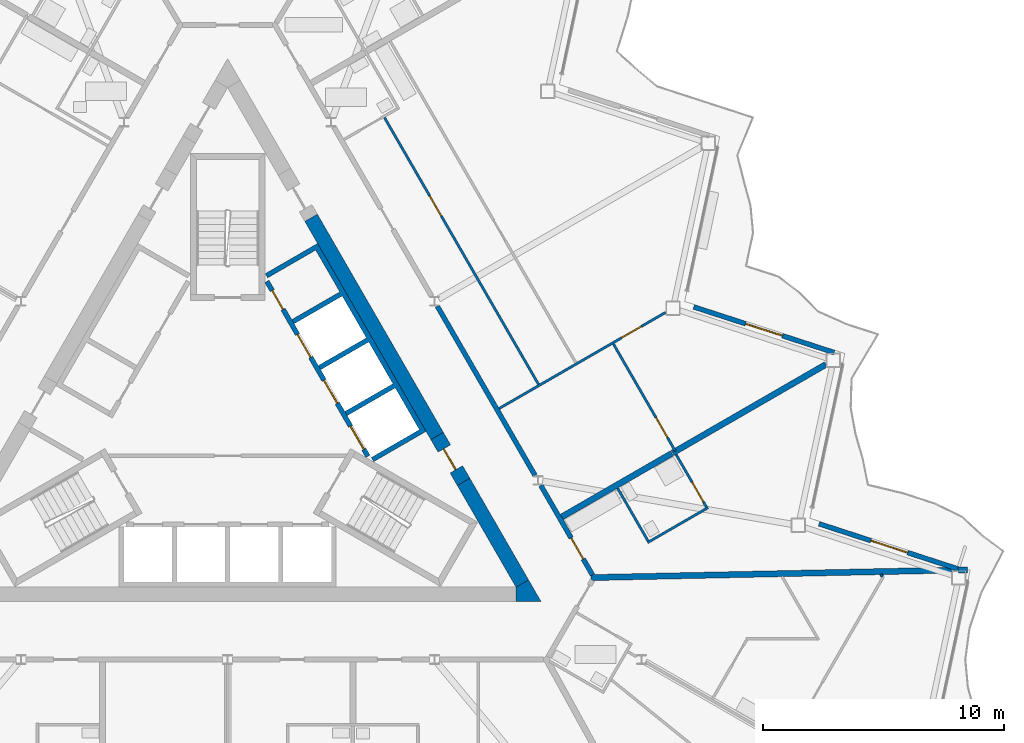
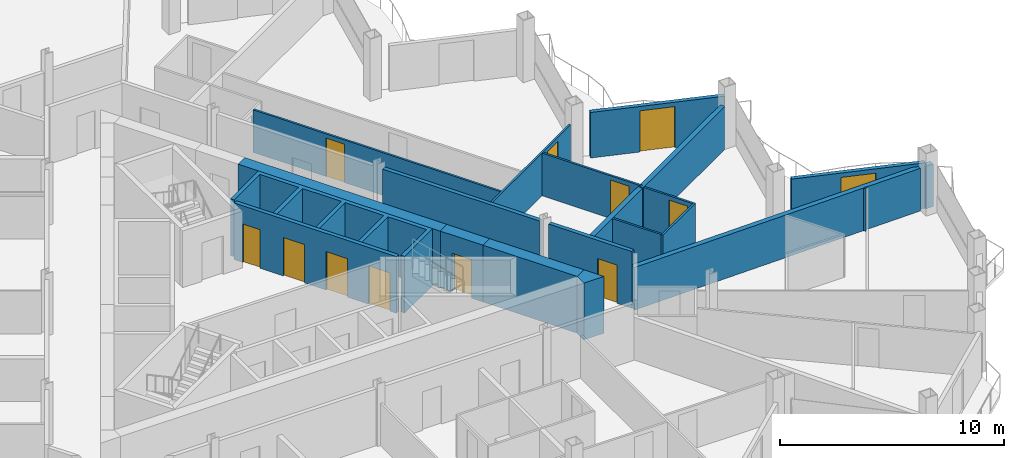
# One storey, part 17 of 27: 21 walls, 12 doors, 12 openings.
"""IFC4 building model written with IfcOpenShell, lengths in metres."""

from ifc_helpers import new_model, si_unit, direction, frame, frame_2d, origin, place, context, subcontext, project, spatial, polyline, rectangle, outline, extrude, material, layer, layer_set, type_object, element, fill, save


model = new_model("IFC4")

# Units and contexts
model_context = context("Model", 3, precision=1e-05, world=origin(), true_north=direction((0.0, 1.0)))
body_context = subcontext(model_context, "Body", "Model", "MODEL_VIEW")
ifc_project = project(units=[si_unit("LENGTHUNIT", "METRE"), si_unit("AREAUNIT", "SQUARE_METRE"), si_unit("VOLUMEUNIT", "CUBIC_METRE"), si_unit("PLANEANGLEUNIT", "RADIAN"), si_unit("MASSUNIT", "GRAM", prefix="KILO")], contexts=[model_context])

# Site, building, storey
site_placement = place(None, origin())
site = spatial("IfcSite", under=ifc_project, at=site_placement, CompositionType="ELEMENT")
building_placement = place(site_placement, origin())
building = spatial("IfcBuilding", under=site, at=building_placement, Name="Cormorant Prow Tower", CompositionType="ELEMENT")
storey_placement = place(building_placement, frame((0.0, 0.0, 315.39990234375)))
storey = spatial("IfcBuildingStorey", under=building, at=storey_placement, Name="L69", CompositionType="ELEMENT", Elevation=315.39990234375)

# Walls
ifc_material_1 = material(Name="Concrete 8000 psi", Category="concrete")
ifc_layer_1 = layer(ifc_material_1, 0.60009765625)
ifc_layer_set_1 = layer_set([ifc_layer_1], Name="Concrete 8000 psi")
wall_type_1 = type_object("IfcWallType", Name="Core shear wall 600", PredefinedType="SHEAR", material=ifc_layer_set_1)
wall_1_placement = place(storey_placement, frame((8.686279296875, -0.6337890625, 0.0), z_axis=(0.0, 0.0, 1.0), x_axis=(-0.50001836461, 0.866014800712, 0.0)))
element("IfcWall", 1, at=wall_1_placement, inside=storey, type_object=wall_type_1, Name="Core wall", PredefinedType="SHEAR", context=body_context, shape_type="SweptSolid", body=[
    extrude(rectangle(XDim=10.45068359375, YDim=0.60009765625, at=frame_2d((5.225341796875, 0.0))), origin(), (0.0, 0.0, 1.0), 3.10009765625),
])
wall_2_placement = place(storey_placement, frame((12.220703125, -6.755615234375, 0.0), z_axis=(0.0, 0.0, 1.0), x_axis=(-0.50000604952, 0.866021911064, 0.0)))
element("IfcWall", 2, at=wall_2_placement, inside=storey, type_object=wall_type_1, Name="Core wall", PredefinedType="SHEAR", context=body_context, shape_type="SweptSolid", body=[
    extrude(rectangle(XDim=4.86865234375, YDim=0.60009765625, at=frame_2d((2.434326171875, 0.0))), origin(), (0.0, 0.0, 1.0), 3.10009765625),
])
wall_3_placement = place(storey_placement, origin())
element("IfcWall", 3, at=wall_3_placement, inside=storey, type_object=wall_type_1, Name="Core wall corner", PredefinedType="SHEAR", context=body_context, shape_type="SweptSolid", body=[
    extrude(outline(polyline([(11.960693359375, -7.505615234375), (11.960693359375, -6.905517578125), (12.48046875, -6.605712890625), (13.0, -7.505615234375), (11.960693359375, -7.505615234375)])), origin(), (0.0, 0.0, 1.0), 3.10009765625),
])

# Wall, opening, door
wall_4_placement = place(storey_placement, frame((9.786376953125, -2.539306640625, 0.0), z_axis=(0.0, 0.0, 1.0), x_axis=(-0.499981787252, 0.866035918664, 0.0)))
wall_4 = element("IfcWall", 4, at=wall_4_placement, inside=storey, type_object=wall_type_1, Name="Core wall door panel", PredefinedType="SHEAR", context=body_context, shape_type="SweptSolid", body=[
    extrude(rectangle(XDim=2.2001953125, YDim=0.60009765625, at=frame_2d((1.10009765625, 0.0))), origin(), (0.0, 0.0, 1.0), 3.10009765625),
])
opening_1_placement = place(wall_4_placement, frame((0.60009765625, 0.0, 0.0)))
opening_1 = element("IfcOpeningElement", 5, at=opening_1_placement, cuts=wall_4, Name="Opening L69-C16", PredefinedType="OPENING", context=body_context, shape_type="SweptSolid", body=[
    extrude(rectangle(XDim=1.0, YDim=2.10009765625, at=frame_2d((0.5, 1.050048828125))), frame((0.0, 0.31005859375, 0.0), z_axis=(0.0, -1.0, 0.0), x_axis=(1.0, 0.0, 0.0)), (0.0, 0.0, 1.0), 0.6201171875),
])
ifc_material_2 = material(Name="Painted steel", Category="steel")
door_type_1 = type_object("IfcDoorType", Name="Service door 1000x2100", OperationType="NOTDEFINED", PredefinedType="DOOR", material=ifc_material_2)
door_1_placement = place(opening_1_placement, origin())
door_1 = element("IfcDoor", 6, at=door_1_placement, inside=storey, type_object=door_type_1, Name="Core door, Telecom room", OperationType="SINGLE_SWING_LEFT", OverallHeight=2.10009765625, OverallWidth=1.0, PredefinedType="DOOR", context=body_context, shape_type="SweptSolid", body=[
    extrude(rectangle(XDim=1.0, YDim=2.10009765625, at=frame_2d((0.5, 1.050048828125))), frame((0.0, 0.05517578125, 0.0), z_axis=(0.0, -1.0, 0.0), x_axis=(1.0, 0.0, 0.0)), (0.0, 0.0, 1.0), 0.050048828125),
])
fill(opening_1, door_1)

# Wall
ifc_material_3 = material(Name="Gypsum board corridor wall")
ifc_layer_2 = layer(ifc_material_3, 0.199951171875)
ifc_layer_set_2 = layer_set([ifc_layer_2], Name="Gypsum board corridor wall")
wall_type_2 = type_object("IfcWallType", Name="Corridor wall 200", PredefinedType="PARTITIONING", material=ifc_layer_set_2)
wall_5_placement = place(storey_placement, frame((8.698486328125, 4.7451171875, 0.0), z_axis=(0.0, 0.0, 1.0), x_axis=(0.499984266882, -0.866034487114, 0.0)))
element("IfcWall", 7, at=wall_5_placement, inside=storey, type_object=wall_type_2, Name="Corridor wall", PredefinedType="PARTITIONING", context=body_context, shape_type="SweptSolid", body=[
    extrude(rectangle(XDim=8.098876953125, YDim=0.199951171875, at=frame_2d((4.04931640625, 0.0))), origin(), (0.0, 0.0, 1.0), 3.10009765625),
])

# Wall, opening, door
wall_6_placement = place(storey_placement, frame((12.987548828125, -2.68408203125, 0.0), z_axis=(0.0, 0.0, 1.0), x_axis=(0.500003406062, -0.866023437285, 0.0)))
wall_6 = element("IfcWall", 8, at=wall_6_placement, inside=storey, type_object=wall_type_2, Name="Corridor wall", PredefinedType="PARTITIONING", context=body_context, shape_type="SweptSolid", body=[
    extrude(rectangle(XDim=4.28759765625, YDim=0.199951171875, at=frame_2d((2.143798828125, 0.0))), origin(), (0.0, 0.0, 1.0), 3.10009765625),
])
opening_2_placement = place(wall_6_placement, frame((2.521484375, 0.0, 0.0)))
opening_2 = element("IfcOpeningElement", 9, at=opening_2_placement, cuts=wall_6, Name="Opening L69-F23", PredefinedType="OPENING", context=body_context, shape_type="SweptSolid", body=[
    extrude(rectangle(XDim=1.0, YDim=2.10009765625, at=frame_2d((0.5, 1.050048828125))), frame((0.0, 0.10986328125, 0.0), z_axis=(0.0, -1.0, 0.0), x_axis=(1.0, 0.0, 0.0)), (0.0, 0.0, 1.0), 0.219970703125),
])
ifc_material_4 = material(Name="Timber door leaf", Category="wood")
door_type_2 = type_object("IfcDoorType", Name="Flat or room entrance door 1000x2100", OperationType="NOTDEFINED", PredefinedType="DOOR", material=ifc_material_4)
door_2_placement = place(opening_2_placement, origin())
door_2 = element("IfcDoor", 10, at=door_2_placement, inside=storey, type_object=door_type_2, Name="Studio living, kitchen and sleeping room door", OperationType="SINGLE_SWING_LEFT", OverallHeight=2.10009765625, OverallWidth=1.0, PredefinedType="DOOR", context=body_context, shape_type="SweptSolid", body=[
    extrude(rectangle(XDim=1.0, YDim=2.10009765625, at=frame_2d((0.5, 1.050048828125))), frame((0.0, 0.02490234375, 0.0), z_axis=(0.0, -1.0, 0.0), x_axis=(1.0, 0.0, 0.0)), (0.0, 0.0, 1.0), 0.050048828125),
])
fill(opening_2, door_2)

ifc_material_5 = material(Name="Gypsum board partition")
ifc_layer_3 = layer(ifc_material_5, 0.10009765625)
ifc_layer_set_3 = layer_set([ifc_layer_3], Name="Gypsum board partition")
wall_type_3 = type_object("IfcWallType", Name="Internal partition 100", PredefinedType="PARTITIONING", material=ifc_layer_set_3)
wall_7_placement = place(storey_placement, frame((6.50390625, 12.57177734375, 0.0), z_axis=(0.0, 0.0, 1.0), x_axis=(0.499998094172, -0.866026504112, 0.0)))
wall_7 = element("IfcWall", 11, at=wall_7_placement, inside=storey, type_object=wall_type_3, Name="Internal partition", PredefinedType="PARTITIONING", context=body_context, shape_type="SweptSolid", body=[
    extrude(rectangle(XDim=12.7783203125, YDim=0.10009765625, at=frame_2d((6.38916015625, 0.0))), origin(), (0.0, 0.0, 1.0), 2.330078125),
])
opening_3_placement = place(wall_7_placement, frame((3.7587890625, 0.0, 0.0)))
opening_3 = element("IfcOpeningElement", 12, at=opening_3_placement, cuts=wall_7, Name="Opening L69-F27", PredefinedType="OPENING", context=body_context, shape_type="SweptSolid", body=[
    extrude(rectangle(XDim=0.949951171875, YDim=2.10009765625, at=frame_2d((0.47509765625, 1.050048828125))), frame((0.0, 0.06005859375, 0.0), z_axis=(0.0, -1.0, 0.0), x_axis=(1.0, 0.0, 0.0)), (0.0, 0.0, 1.0), 0.1201171875),
])
ifc_material_6 = material(Name="Timber door leaf", Category="wood")
door_type_3 = type_object("IfcDoorType", Name="Bathroom door 950x2100", OperationType="NOTDEFINED", PredefinedType="DOOR", material=ifc_material_6)
door_3_placement = place(opening_3_placement, origin())
door_3 = element("IfcDoor", 13, at=door_3_placement, inside=storey, type_object=door_type_3, Name="Living room door", OperationType="SINGLE_SWING_RIGHT", OverallHeight=2.10009765625, OverallWidth=0.949951171875, PredefinedType="DOOR", context=body_context, shape_type="SweptSolid", body=[
    extrude(rectangle(XDim=0.949951171875, YDim=2.10009765625, at=frame_2d((0.47509765625, 1.050048828125))), frame((0.0, 0.02490234375, 0.0), z_axis=(0.0, -1.0, 0.0), x_axis=(1.0, 0.0, 0.0)), (0.0, 0.0, 1.0), 0.050048828125),
])
fill(opening_3, door_3)

wall_8_placement = place(storey_placement, frame((11.261474609375, 0.505615234375, 0.0), z_axis=(0.0, 0.0, 1.0), x_axis=(0.866024323732, 0.500001870701, 0.0)))
wall_8 = element("IfcWall", 14, at=wall_8_placement, inside=storey, type_object=wall_type_3, Name="Internal partition", PredefinedType="PARTITIONING", context=body_context, shape_type="SweptSolid", body=[
    extrude(rectangle(XDim=7.966796875, YDim=0.10009765625, at=frame_2d((3.9833984375, 0.0))), origin(), (0.0, 0.0, 1.0), 2.330078125),
])
opening_4_placement = place(wall_8_placement, frame((5.864501953125, 0.0, 0.0)))
opening_4 = element("IfcOpeningElement", 15, at=opening_4_placement, cuts=wall_8, Name="Opening L69-F29", PredefinedType="OPENING", context=body_context, shape_type="SweptSolid", body=[
    extrude(rectangle(XDim=0.949951171875, YDim=2.10009765625, at=frame_2d((0.47509765625, 1.050048828125))), frame((0.0, 0.06005859375, 0.0), z_axis=(0.0, -1.0, 0.0), x_axis=(1.0, 0.0, 0.0)), (0.0, 0.0, 1.0), 0.1201171875),
])
door_4_placement = place(opening_4_placement, origin())
door_4 = element("IfcDoor", 16, at=door_4_placement, inside=storey, type_object=door_type_3, Name="Dining room door", OperationType="SINGLE_SWING_LEFT", OverallHeight=2.10009765625, OverallWidth=0.949951171875, PredefinedType="DOOR", context=body_context, shape_type="SweptSolid", body=[
    extrude(rectangle(XDim=0.949951171875, YDim=2.10009765625, at=frame_2d((0.47509765625, 1.050048828125))), frame((0.0, 0.02490234375, 0.0), z_axis=(0.0, -1.0, 0.0), x_axis=(1.0, 0.0, 0.0)), (0.0, 0.0, 1.0), 0.050048828125),
])
fill(opening_4, door_4)

wall_9_placement = place(storey_placement, frame((15.9990234375, 3.18310546875, 0.0), z_axis=(0.0, 0.0, 1.0), x_axis=(0.500014207086, -0.866017201164, 0.0)))
wall_9 = element("IfcWall", 17, at=wall_9_placement, inside=storey, type_object=wall_type_3, Name="Internal partition", PredefinedType="PARTITIONING", context=body_context, shape_type="SweptSolid", body=[
    extrude(rectangle(XDim=5.142822265625, YDim=0.10009765625, at=frame_2d((2.5712890625, 0.0))), origin(), (0.0, 0.0, 1.0), 2.330078125),
])
opening_5_placement = place(wall_9_placement, frame((3.532470703125, 0.0, 0.0)))
opening_5 = element("IfcOpeningElement", 18, at=opening_5_placement, cuts=wall_9, Name="Opening L69-F30", PredefinedType="OPENING", context=body_context, shape_type="SweptSolid", body=[
    extrude(rectangle(XDim=0.949951171875, YDim=2.10009765625, at=frame_2d((0.47509765625, 1.050048828125))), frame((0.0, 0.06005859375, 0.0), z_axis=(0.0, -1.0, 0.0), x_axis=(1.0, 0.0, 0.0)), (0.0, 0.0, 1.0), 0.1201171875),
])
door_5_placement = place(opening_5_placement, origin())
door_5 = element("IfcDoor", 19, at=door_5_placement, inside=storey, type_object=door_type_3, Name="Bedroom door", OperationType="SINGLE_SWING_RIGHT", OverallHeight=2.10009765625, OverallWidth=0.949951171875, PredefinedType="DOOR", context=body_context, shape_type="SweptSolid", body=[
    extrude(rectangle(XDim=0.949951171875, YDim=2.10009765625, at=frame_2d((0.47509765625, 1.050048828125))), frame((0.0, 0.02490234375, 0.0), z_axis=(0.0, -1.0, 0.0), x_axis=(1.0, 0.0, 0.0)), (0.0, 0.0, 1.0), 0.050048828125),
])
fill(opening_5, door_5)

# Walls
wall_10_placement = place(storey_placement, frame((17.416259765625, -5.0546875, 0.0), z_axis=(0.0, 0.0, 1.0), x_axis=(0.866032775405, 0.499987231761, 0.0)))
element("IfcWall", 20, at=wall_10_placement, inside=storey, type_object=wall_type_3, Name="Internal partition", PredefinedType="PARTITIONING", context=body_context, shape_type="SweptSolid", body=[
    extrude(rectangle(XDim=2.89990234375, YDim=0.10009765625, at=frame_2d((1.449951171875, 0.0))), origin(), (0.0, 0.0, 1.0), 2.330078125),
])
wall_11_placement = place(storey_placement, frame((16.172119140625, -2.7998046875, 0.0), z_axis=(0.0, 0.0, 1.0), x_axis=(0.50001820224, -0.866014894461, 0.0)))
element("IfcWall", 21, at=wall_11_placement, inside=storey, type_object=wall_type_3, Name="Internal partition", PredefinedType="PARTITIONING", context=body_context, shape_type="SweptSolid", body=[
    extrude(rectangle(XDim=2.52490234375, YDim=0.10009765625, at=frame_2d((1.262451171875, 0.0))), origin(), (0.0, 0.0, 1.0), 2.330078125),
])

# Wall, opening, door
wall_12_placement = place(storey_placement, frame((18.596923828125, -1.399658203125, 0.0), z_axis=(0.0, 0.0, 1.0), x_axis=(0.499976333282, -0.866039067339, 0.0)))
wall_12 = element("IfcWall", 22, at=wall_12_placement, inside=storey, type_object=wall_type_3, Name="Internal partition", PredefinedType="PARTITIONING", context=body_context, shape_type="SweptSolid", body=[
    extrude(rectangle(XDim=2.52490234375, YDim=0.10009765625, at=frame_2d((1.262451171875, 0.0))), origin(), (0.0, 0.0, 1.0), 2.330078125),
])
opening_6_placement = place(wall_12_placement, frame((1.324951171875, 0.0, 0.0)))
opening_6 = element("IfcOpeningElement", 23, at=opening_6_placement, cuts=wall_12, Name="Opening L69-F24", PredefinedType="OPENING", context=body_context, shape_type="SweptSolid", body=[
    extrude(rectangle(XDim=0.949951171875, YDim=2.10009765625, at=frame_2d((0.47509765625, 1.050048828125))), frame((0.0, 0.06005859375, 0.0), z_axis=(0.0, -1.0, 0.0), x_axis=(1.0, 0.0, 0.0)), (0.0, 0.0, 1.0), 0.1201171875),
])
door_6_placement = place(opening_6_placement, origin())
door_6 = element("IfcDoor", 24, at=door_6_placement, inside=storey, type_object=door_type_3, Name="Studio living, kitchen and sleeping room door", OperationType="SINGLE_SWING_RIGHT", OverallHeight=2.10009765625, OverallWidth=0.949951171875, PredefinedType="DOOR", context=body_context, shape_type="SweptSolid", body=[
    extrude(rectangle(XDim=0.949951171875, YDim=2.10009765625, at=frame_2d((0.47509765625, 1.050048828125))), frame((0.0, 0.02490234375, 0.0), z_axis=(0.0, -1.0, 0.0), x_axis=(1.0, 0.0, 0.0)), (0.0, 0.0, 1.0), 0.050048828125),
])
fill(opening_6, door_6)

# Wall
wall_13_placement = place(storey_placement, frame((27.095703125, -6.369140625, 0.0), z_axis=(0.0, 0.0, 1.0), x_axis=(0.500768285049, -0.865581379588, 0.0)))
element("IfcWall", 25, at=wall_13_placement, inside=storey, type_object=wall_type_3, Name="Internal partition", PredefinedType="PARTITIONING", context=body_context, shape_type="SweptSolid", body=[
    extrude(rectangle(XDim=0.107666015625, YDim=0.10009765625, at=frame_2d((0.0537109375, 0.0))), origin(), (0.0, 0.0, 1.0), 2.330078125),
])

# Wall, openings, doors
ifc_material_7 = material(Name="Concrete 5000 psi", Category="concrete")
ifc_layer_4 = layer(ifc_material_7, 0.199951171875)
ifc_layer_set_4 = layer_set([ifc_layer_4], Name="Concrete 5000 psi")
wall_type_4 = type_object("IfcWallType", Name="Lift lobby wall 200", PredefinedType="SOLIDWALL", material=ifc_layer_set_4)
wall_14_placement = place(storey_placement, frame((5.817138671875, -1.4755859375, 0.0), z_axis=(0.0, 0.0, 1.0), x_axis=(-0.500002616675, 0.866023893041, 0.0)))
wall_14 = element("IfcWall", 26, at=wall_14_placement, inside=storey, type_object=wall_type_4, Name="Lift lobby wall, ENE block", PredefinedType="SOLIDWALL", context=body_context, shape_type="SweptSolid", body=[
    extrude(rectangle(XDim=8.373046875, YDim=0.199951171875, at=frame_2d((4.1865234375, 0.0))), origin(), (0.0, 0.0, 1.0), 3.10009765625),
])
opening_7_placement = place(wall_14_placement, frame((0.336669921875, 0.0, 0.0)))
opening_7 = element("IfcOpeningElement", 27, at=opening_7_placement, cuts=wall_14, Name="Opening L69-C05", PredefinedType="OPENING", context=body_context, shape_type="SweptSolid", body=[
    extrude(rectangle(XDim=1.10009765625, YDim=2.10009765625, at=frame_2d((0.550048828125, 1.050048828125))), frame((0.0, 0.10986328125, 0.0), z_axis=(0.0, -1.0, 0.0), x_axis=(1.0, 0.0, 0.0)), (0.0, 0.0, 1.0), 0.219970703125),
])
opening_8_placement = place(wall_14_placement, frame((2.53662109375, 0.0, 0.0)))
opening_8 = element("IfcOpeningElement", 28, at=opening_8_placement, cuts=wall_14, Name="Opening L69-C06", PredefinedType="OPENING", context=body_context, shape_type="SweptSolid", body=[
    extrude(rectangle(XDim=1.10009765625, YDim=2.10009765625, at=frame_2d((0.550048828125, 1.050048828125))), frame((0.0, 0.10986328125, 0.0), z_axis=(0.0, -1.0, 0.0), x_axis=(1.0, 0.0, 0.0)), (0.0, 0.0, 1.0), 0.219970703125),
])
opening_9_placement = place(wall_14_placement, frame((4.736572265625, 0.0, 0.0)))
opening_9 = element("IfcOpeningElement", 29, at=opening_9_placement, cuts=wall_14, Name="Opening L69-C07", PredefinedType="OPENING", context=body_context, shape_type="SweptSolid", body=[
    extrude(rectangle(XDim=1.10009765625, YDim=2.10009765625, at=frame_2d((0.550048828125, 1.050048828125))), frame((0.0, 0.10986328125, 0.0), z_axis=(0.0, -1.0, 0.0), x_axis=(1.0, 0.0, 0.0)), (0.0, 0.0, 1.0), 0.219970703125),
])
opening_10_placement = place(wall_14_placement, frame((7.03662109375, 0.0, 0.0)))
opening_10 = element("IfcOpeningElement", 30, at=opening_10_placement, cuts=wall_14, Name="Opening L69-C08", PredefinedType="OPENING", context=body_context, shape_type="SweptSolid", body=[
    extrude(rectangle(XDim=0.89990234375, YDim=2.10009765625, at=frame_2d((0.449951171875, 1.050048828125))), frame((0.0, 0.10986328125, 0.0), z_axis=(0.0, -1.0, 0.0), x_axis=(1.0, 0.0, 0.0)), (0.0, 0.0, 1.0), 0.219970703125),
])
ifc_material_8 = material(Name="Painted steel", Category="steel")
door_type_4 = type_object("IfcDoorType", Name="Lift landing door 1100x2100", OperationType="SLIDING_TO_LEFT", PredefinedType="DOOR", material=ifc_material_8)
door_7_placement = place(opening_7_placement, origin())
door_7 = element("IfcDoor", 31, at=door_7_placement, inside=storey, type_object=door_type_4, Name="Landing door HR2", OperationType="SLIDING_TO_LEFT", OverallHeight=2.10009765625, OverallWidth=1.10009765625, PredefinedType="DOOR", context=body_context, shape_type="SweptSolid", body=[
    extrude(rectangle(XDim=1.10009765625, YDim=2.10009765625, at=frame_2d((0.550048828125, 1.050048828125))), frame((0.0, 0.02490234375, 0.0), z_axis=(0.0, -1.0, 0.0), x_axis=(1.0, 0.0, 0.0)), (0.0, 0.0, 1.0), 0.050048828125),
])
fill(opening_7, door_7)
door_8_placement = place(opening_8_placement, origin())
door_8 = element("IfcDoor", 32, at=door_8_placement, inside=storey, type_object=door_type_4, Name="Landing door HR3", OperationType="SLIDING_TO_LEFT", OverallHeight=2.10009765625, OverallWidth=1.10009765625, PredefinedType="DOOR", context=body_context, shape_type="SweptSolid", body=[
    extrude(rectangle(XDim=1.10009765625, YDim=2.10009765625, at=frame_2d((0.550048828125, 1.050048828125))), frame((0.0, 0.02490234375, 0.0), z_axis=(0.0, -1.0, 0.0), x_axis=(1.0, 0.0, 0.0)), (0.0, 0.0, 1.0), 0.050048828125),
])
fill(opening_8, door_8)
door_9_placement = place(opening_9_placement, origin())
door_9 = element("IfcDoor", 33, at=door_9_placement, inside=storey, type_object=door_type_4, Name="Landing door HR4", OperationType="SLIDING_TO_LEFT", OverallHeight=2.10009765625, OverallWidth=1.10009765625, PredefinedType="DOOR", context=body_context, shape_type="SweptSolid", body=[
    extrude(rectangle(XDim=1.10009765625, YDim=2.10009765625, at=frame_2d((0.550048828125, 1.050048828125))), frame((0.0, 0.02490234375, 0.0), z_axis=(0.0, -1.0, 0.0), x_axis=(1.0, 0.0, 0.0)), (0.0, 0.0, 1.0), 0.050048828125),
])
fill(opening_9, door_9)
ifc_material_9 = material(Name="Painted steel", Category="steel")
door_type_5 = type_object("IfcDoorType", Name="Service door 900x2100", OperationType="NOTDEFINED", PredefinedType="DOOR", material=ifc_material_9)
door_10_placement = place(opening_10_placement, origin())
door_10 = element("IfcDoor", 34, at=door_10_placement, inside=storey, type_object=door_type_5, Name="Service door, Refuse store", OperationType="SINGLE_SWING_RIGHT", OverallHeight=2.10009765625, OverallWidth=0.89990234375, PredefinedType="DOOR", context=body_context, shape_type="SweptSolid", body=[
    extrude(rectangle(XDim=0.89990234375, YDim=2.10009765625, at=frame_2d((0.449951171875, 1.050048828125))), frame((0.0, 0.02490234375, 0.0), z_axis=(0.0, -1.0, 0.0), x_axis=(1.0, 0.0, 0.0)), (0.0, 0.0, 1.0), 0.050048828125),
])
fill(opening_10, door_10)

# Walls
ifc_material_10 = material(Name="Concrete 8000 psi", Category="concrete")
ifc_layer_5 = layer(ifc_material_10, 0.199951171875)
ifc_layer_set_5 = layer_set([ifc_layer_5], Name="Concrete 8000 psi")
wall_type_5 = type_object("IfcWallType", Name="Lift shaft wall 200", PredefinedType="SHEAR", material=ifc_layer_set_5)
wall_15_placement = place(storey_placement, origin())
element("IfcWall", 35, at=wall_15_placement, inside=storey, type_object=wall_type_5, Name="Lift shaft walls, ENE block", PredefinedType="SHEAR", context=body_context, shape_type="SweptSolid", body=[
    extrude(outline(polyline([(1.560546875, 6.09716796875), (3.730712890625, 7.35009765625), (8.230712890625, -0.444091796875), (6.060546875, -1.697021484375), (5.96044921875, -1.52392578125), (7.952392578125, -0.373779296875), (6.952392578125, 1.358154296875), (4.96044921875, 0.2080078125), (4.860595703125, 0.38134765625), (6.852294921875, 1.53125), (5.852294921875, 3.263427734375), (3.860595703125, 2.11328125), (3.760498046875, 2.28662109375), (5.75244140625, 3.4365234375), (4.75244140625, 5.168701171875), (2.760498046875, 4.018798828125), (2.660400390625, 4.19189453125), (4.65234375, 5.341796875), (3.65234375, 7.073974609375), (1.660400390625, 5.923828125), (1.560546875, 6.09716796875)])), origin(), (0.0, 0.0, 1.0), 3.10009765625),
])
ifc_material_11 = material(Name="Acoustic gypsum party wall")
ifc_layer_6 = layer(ifc_material_11, 0.25)
ifc_layer_set_6 = layer_set([ifc_layer_6], Name="Acoustic gypsum party wall")
wall_type_6 = type_object("IfcWallType", Name="Suite party wall 250", PredefinedType="PARTITIONING", material=ifc_layer_set_6)
wall_16_placement = place(storey_placement, frame((15.06884765625, -6.508056640625, 0.0), z_axis=(0.0, 0.0, 1.0), x_axis=(0.999786619639, 0.02065708573, 0.0)))
element("IfcWall", 36, at=wall_16_placement, inside=storey, type_object=wall_type_6, Name="Suite party wall", PredefinedType="PARTITIONING", context=body_context, shape_type="SweptSolid", body=[
    extrude(rectangle(XDim=14.95068359375, YDim=0.25, at=frame_2d((7.475341796875, 0.0))), origin(), (0.0, 0.0, 1.0), 2.330078125),
])
wall_17_placement = place(storey_placement, frame((18.45361328125, -1.338134765625, 0.0), z_axis=(0.0, 0.0, 1.0), x_axis=(0.866023407002, 0.500003458512, 0.0)))
element("IfcWall", 37, at=wall_17_placement, inside=storey, type_object=wall_type_6, Name="Suite party wall", PredefinedType="PARTITIONING", context=body_context, shape_type="SweptSolid", body=[
    extrude(rectangle(XDim=7.34521484375, YDim=0.25, at=frame_2d((3.672607421875, 0.0))), origin(), (0.0, 0.0, 1.0), 2.330078125),
])
wall_18_placement = place(storey_placement, frame((13.85791015625, -3.991455078125, 0.0), z_axis=(0.0, 0.0, 1.0), x_axis=(0.866032983855, 0.499986870703, 0.0)))
element("IfcWall", 38, at=wall_18_placement, inside=storey, type_object=wall_type_6, Name="Suite party wall", PredefinedType="PARTITIONING", context=body_context, shape_type="SweptSolid", body=[
    extrude(rectangle(XDim=5.275146484375, YDim=0.25, at=frame_2d((2.6376953125, 0.0))), origin(), (0.0, 0.0, 1.0), 2.330078125),
])
wall_19_placement = place(storey_placement, frame((30.30078125, -6.193359375, 0.0), z_axis=(0.0, 0.0, 1.0), x_axis=(0.999786840126, 0.020646411592, 0.0)))
element("IfcWall", 39, at=wall_19_placement, inside=storey, type_object=wall_type_6, Name="Suite party wall", PredefinedType="PARTITIONING", context=body_context, shape_type="SweptSolid", body=[
    extrude(rectangle(XDim=0.39013671875, YDim=0.25, at=frame_2d((0.195068359375, 0.0))), origin(), (0.0, 0.0, 1.0), 2.330078125),
])

# Wall, opening, door
ifc_material_12 = material(Name="Terracotta", Category="masonry")
ifc_layer_7 = layer(ifc_material_12, 0.199951171875)
ifc_layer_set_7 = layer_set([ifc_layer_7], Name="Terracotta")
wall_type_7 = type_object("IfcWallType", Name="Terracotta jamb wall 200", PredefinedType="SOLIDWALL", material=ifc_layer_set_7)
wall_20_placement = place(storey_placement, frame((30.347412109375, -6.16845703125, 0.0), z_axis=(0.0, 0.0, 1.0), x_axis=(-0.951053709789, 0.309025631781, 0.0)))
wall_20 = element("IfcWall", 40, at=wall_20_placement, inside=storey, type_object=wall_type_7, Name="Terracotta jamb wall ENE01", PredefinedType="SOLIDWALL", context=body_context, shape_type="SweptSolid", body=[
    extrude(rectangle(XDim=6.11962890625, YDim=0.199951171875, at=frame_2d((3.059814453125, 0.0))), origin(), (0.0, 0.0, 1.0), 2.488037109375),
])
opening_11_placement = place(wall_20_placement, frame((2.259765625, 0.0, 0.0)))
opening_11 = element("IfcOpeningElement", 41, at=opening_11_placement, cuts=wall_20, Name="Opening ED69.06", PredefinedType="OPENING", context=body_context, shape_type="SweptSolid", body=[
    extrude(rectangle(XDim=1.60009765625, YDim=2.25, at=frame_2d((0.800048828125, 1.125))), frame((0.0, 0.10986328125, 0.0), z_axis=(0.0, -1.0, 0.0), x_axis=(1.0, 0.0, 0.0)), (0.0, 0.0, 1.0), 0.219970703125),
])
ifc_material_13 = material(Name="Aluminium 6063-T6", Category="aluminium")
door_type_6 = type_object("IfcDoorType", Name="Balcony door 1600x2250", OperationType="DOUBLE_DOOR_SINGLE_SWING", PredefinedType="DOOR", material=ifc_material_13)
door_11_placement = place(opening_11_placement, origin())
door_11 = element("IfcDoor", 42, at=door_11_placement, inside=storey, type_object=door_type_6, Name="Balcony door ENE01 ED69.06", OperationType="DOUBLE_DOOR_SINGLE_SWING", OverallHeight=2.25, OverallWidth=1.60009765625, PredefinedType="DOOR", context=body_context, shape_type="SweptSolid", body=[
    extrude(rectangle(XDim=1.60009765625, YDim=2.25, at=frame_2d((0.800048828125, 1.125))), frame((0.0, 0.02490234375, 0.0), z_axis=(0.0, -1.0, 0.0), x_axis=(1.0, 0.0, 0.0)), (0.0, 0.0, 1.0), 0.050048828125),
])
fill(opening_11, door_11)

wall_21_placement = place(storey_placement, frame((25.154541015625, 2.825927734375, 0.0), z_axis=(0.0, 0.0, 1.0), x_axis=(-0.951053709789, 0.309025631781, 0.0)))
wall_21 = element("IfcWall", 43, at=wall_21_placement, inside=storey, type_object=wall_type_7, Name="Terracotta jamb wall ENE03", PredefinedType="SOLIDWALL", context=body_context, shape_type="SweptSolid", body=[
    extrude(rectangle(XDim=6.11962890625, YDim=0.199951171875, at=frame_2d((3.059814453125, 0.0))), origin(), (0.0, 0.0, 1.0), 2.488037109375),
])
opening_12_placement = place(wall_21_placement, frame((2.259765625, 0.0, 0.0)))
opening_12 = element("IfcOpeningElement", 44, at=opening_12_placement, cuts=wall_21, Name="Opening ED69.07", PredefinedType="OPENING", context=body_context, shape_type="SweptSolid", body=[
    extrude(rectangle(XDim=1.60009765625, YDim=2.25, at=frame_2d((0.800048828125, 1.125))), frame((0.0, 0.10986328125, 0.0), z_axis=(0.0, -1.0, 0.0), x_axis=(1.0, 0.0, 0.0)), (0.0, 0.0, 1.0), 0.219970703125),
])
door_12_placement = place(opening_12_placement, origin())
door_12 = element("IfcDoor", 45, at=door_12_placement, inside=storey, type_object=door_type_6, Name="Balcony door ENE03 ED69.07", OperationType="DOUBLE_DOOR_SINGLE_SWING", OverallHeight=2.25, OverallWidth=1.60009765625, PredefinedType="DOOR", context=body_context, shape_type="SweptSolid", body=[
    extrude(rectangle(XDim=1.60009765625, YDim=2.25, at=frame_2d((0.800048828125, 1.125))), frame((0.0, 0.02490234375, 0.0), z_axis=(0.0, -1.0, 0.0), x_axis=(1.0, 0.0, 0.0)), (0.0, 0.0, 1.0), 0.050048828125),
])
fill(opening_12, door_12)

save(model, "model.ifc")
